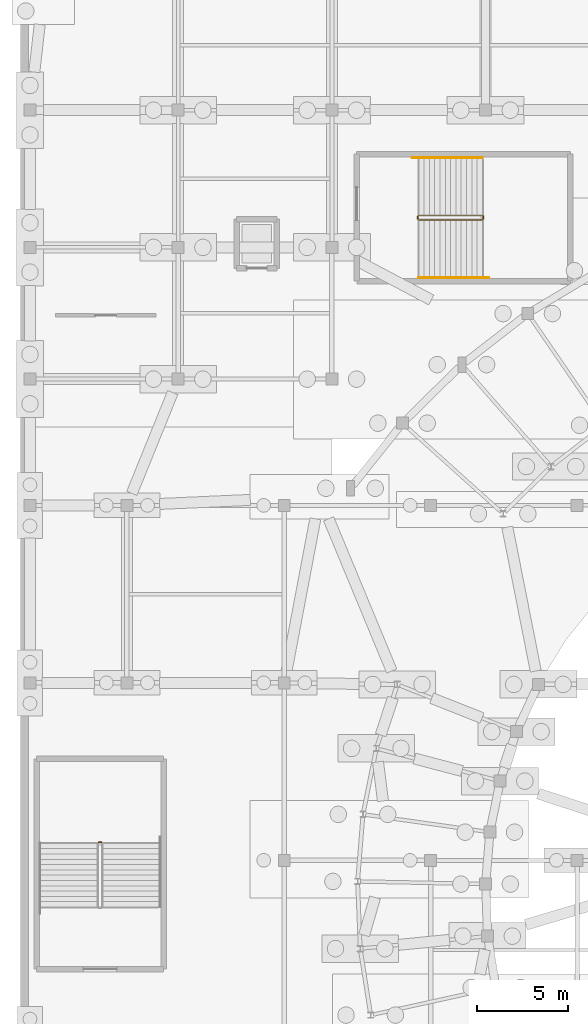
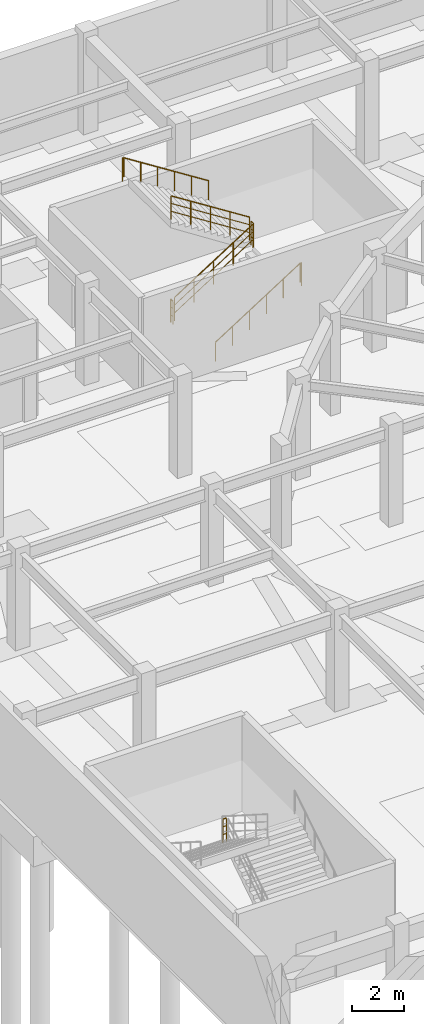
# One storey, part 65 of 68: 7 railings.
"""IFC4 building model written with IfcOpenShell, lengths in metres."""

from ifc_helpers import new_model, si_unit, direction, frame, origin, origin_2d, place, context, subcontext, project, spatial, circle, extrude, material, type_object, element, save


model = new_model("IFC4")

# Units and contexts
model_context = context("Model", 3, precision=1e-05, world=origin(), true_north=direction((0.0, 1.0)))
body_context = subcontext(model_context, "Body", "Model", "MODEL_VIEW")
ifc_project = project(units=[si_unit("LENGTHUNIT", "METRE"), si_unit("AREAUNIT", "SQUARE_METRE"), si_unit("VOLUMEUNIT", "CUBIC_METRE"), si_unit("PLANEANGLEUNIT", "RADIAN"), si_unit("MASSUNIT", "GRAM", prefix="KILO")], contexts=[model_context])

# Site, building, storey
site_placement = place(None, origin())
site = spatial("IfcSite", under=ifc_project, at=site_placement, CompositionType="ELEMENT")
building_placement = place(site_placement, origin())
building = spatial("IfcBuilding", under=site, at=building_placement, Name="Cinderbank Siding Concert Hall", CompositionType="ELEMENT")
storey_placement = place(building_placement, frame((0.0, 0.0, -4.800048828125)))
storey = spatial("IfcBuildingStorey", under=building, at=storey_placement, Name="B1", CompositionType="ELEMENT", Elevation=-4.800048828125)

# Railings
ifc_material = material(Name="Structural steel AS/NZS 3679.1 Grade 350 (340 MPa)", Category="steel")
railing_type_1 = type_object("IfcRailingType", Name="STG-01 Stair Well Guardrail 1120mm", PredefinedType="GUARDRAIL", material=ifc_material)
railing_1_placement = place(storey_placement, frame((28.35009765625, 104.800048828125, 0.1845703125)))
element("IfcRailing", 1, at=railing_1_placement, inside=storey, type_object=railing_type_1, Name="B1 ST-05 stair guard 1", PredefinedType="GUARDRAIL", context=body_context, shape_type="SweptSolid", body=[
    extrude(circle(Radius=0.02392578125, at=origin_2d()), frame((0.0, 0.0, 1.09619140625), z_axis=(0.843546938479, 0.0, 0.53705545578), x_axis=(0.0, 1.0, 0.0)), (0.0, 0.0, 1.0), 4.12548828125),
    extrude(circle(Radius=0.01611328125, at=origin_2d()), frame((0.0, 0.0, 0.36962890625), z_axis=(0.843546938479, 0.0, 0.53705545578), x_axis=(0.0, 1.0, 0.0)), (0.0, 0.0, 1.0), 4.12548828125),
    extrude(circle(Radius=0.01611328125, at=origin_2d()), frame((0.0, 0.0, 0.7392578125), z_axis=(0.843546938479, 0.0, 0.53705545578), x_axis=(0.0, 1.0, 0.0)), (0.0, 0.0, 1.0), 4.12548828125),
    extrude(circle(Radius=0.02099609375, at=origin_2d()), origin(), (0.0, 0.0, 1.0), 1.072021484375),
    extrude(circle(Radius=0.02099609375, at=origin_2d()), frame((0.8701171875, 0.0, 0.553955078125)), (0.0, 0.0, 1.0), 1.072021484375),
    extrude(circle(Radius=0.02099609375, at=origin_2d()), frame((1.739990234375, 0.0, 1.10791015625)), (0.0, 0.0, 1.0), 1.072021484375),
    extrude(circle(Radius=0.02099609375, at=origin_2d()), frame((2.60986328125, 0.0, 1.66162109375)), (0.0, 0.0, 1.0), 1.072021484375),
    extrude(circle(Radius=0.02099609375, at=origin_2d()), frame((3.47998046875, 0.0, 2.215576171875)), (0.0, 0.0, 1.0), 1.072021484375),
])
railing_2_placement = place(storey_placement, frame((31.8798828125, 104.85009765625, 2.400146484375)))
element("IfcRailing", 2, at=railing_2_placement, inside=storey, type_object=railing_type_1, Name="B1 ST-05 stair guard 2", PredefinedType="GUARDRAIL", context=body_context, shape_type="SweptSolid", body=[
    extrude(circle(Radius=0.02392578125, at=origin_2d()), frame((0.0, 0.0, 1.09619140625), z_axis=(0.0, 1.0, 0.0), x_axis=(-1.0, 0.0, 0.0)), (0.0, 0.0, 1.0), 0.159912109375),
    extrude(circle(Radius=0.01611328125, at=origin_2d()), frame((0.0, 0.0, 0.36962890625), z_axis=(0.0, 1.0, 0.0), x_axis=(-1.0, 0.0, 0.0)), (0.0, 0.0, 1.0), 0.159912109375),
    extrude(circle(Radius=0.01611328125, at=origin_2d()), frame((0.0, 0.0, 0.7392578125), z_axis=(0.0, 1.0, 0.0), x_axis=(-1.0, 0.0, 0.0)), (0.0, 0.0, 1.0), 0.159912109375),
    extrude(circle(Radius=0.02099609375, at=origin_2d()), origin(), (0.0, 0.0, 1.0), 1.072021484375),
    extrude(circle(Radius=0.02099609375, at=origin_2d()), frame((0.0, 0.159912109375, 0.0)), (0.0, 0.0, 1.0), 1.072021484375),
])
railing_3_placement = place(storey_placement, frame((31.830078125, 105.06005859375, 2.584716796875)))
element("IfcRailing", 3, at=railing_3_placement, inside=storey, type_object=railing_type_1, Name="B1 ST-05 stair guard 3", PredefinedType="GUARDRAIL", context=body_context, shape_type="SweptSolid", body=[
    extrude(circle(Radius=0.02392578125, at=origin_2d()), frame((0.0, 0.0, 1.09619140625), z_axis=(-0.843573748531, 0.0, 0.537013343214), x_axis=(0.0, -1.0, 0.0)), (0.0, 0.0, 1.0), 4.125244140625),
    extrude(circle(Radius=0.01611328125, at=origin_2d()), frame((0.0, 0.0, 0.36962890625), z_axis=(-0.843573748531, 0.0, 0.537013343214), x_axis=(0.0, -1.0, 0.0)), (0.0, 0.0, 1.0), 4.125244140625),
    extrude(circle(Radius=0.01611328125, at=origin_2d()), frame((0.0, 0.0, 0.7392578125), z_axis=(-0.843573748531, 0.0, 0.537013343214), x_axis=(0.0, -1.0, 0.0)), (0.0, 0.0, 1.0), 4.125244140625),
    extrude(circle(Radius=0.02099609375, at=origin_2d()), origin(), (0.0, 0.0, 1.0), 1.072021484375),
    extrude(circle(Radius=0.02099609375, at=origin_2d()), frame((-0.8701171875, 0.0, 0.5537109375)), (0.0, 0.0, 1.0), 1.072021484375),
    extrude(circle(Radius=0.02099609375, at=origin_2d()), frame((-1.739990234375, 0.0, 1.107666015625)), (0.0, 0.0, 1.0), 1.072021484375),
    extrude(circle(Radius=0.02099609375, at=origin_2d()), frame((-2.60986328125, 0.0, 1.66162109375)), (0.0, 0.0, 1.0), 1.072021484375),
    extrude(circle(Radius=0.02099609375, at=origin_2d()), frame((-3.47998046875, 0.0, 2.21533203125)), (0.0, 0.0, 1.0), 1.072021484375),
])
railing_4_placement = place(storey_placement, frame((28.300048828125, 104.85009765625, 0.0)))
element("IfcRailing", 4, at=railing_4_placement, inside=storey, type_object=railing_type_1, Name="B1 ST-05 stair guard 4", PredefinedType="GUARDRAIL", context=body_context, shape_type="SweptSolid", body=[
    extrude(circle(Radius=0.02392578125, at=origin_2d()), frame((0.0, 0.0, 1.09619140625), z_axis=(0.0, 1.0, 0.0), x_axis=(-1.0, 0.0, 0.0)), (0.0, 0.0, 1.0), 0.159912109375),
    extrude(circle(Radius=0.01611328125, at=origin_2d()), frame((0.0, 0.0, 0.36962890625), z_axis=(0.0, 1.0, 0.0), x_axis=(-1.0, 0.0, 0.0)), (0.0, 0.0, 1.0), 0.159912109375),
    extrude(circle(Radius=0.01611328125, at=origin_2d()), frame((0.0, 0.0, 0.7392578125), z_axis=(0.0, 1.0, 0.0), x_axis=(-1.0, 0.0, 0.0)), (0.0, 0.0, 1.0), 0.159912109375),
    extrude(circle(Radius=0.02099609375, at=origin_2d()), origin(), (0.0, 0.0, 1.0), 1.072021484375),
    extrude(circle(Radius=0.02099609375, at=origin_2d()), frame((0.0, 0.159912109375, 0.0)), (0.0, 0.0, 1.0), 1.072021484375),
])
railing_5_placement = place(storey_placement, frame((11.010009765625, 70.780029296875, 2.400146484375)))
element("IfcRailing", 5, at=railing_5_placement, inside=storey, type_object=railing_type_1, Name="B1 ST-09 stair guard 2", PredefinedType="GUARDRAIL", context=body_context, shape_type="SweptSolid", body=[
    extrude(circle(Radius=0.02392578125, at=origin_2d()), frame((0.0, 0.0, 1.09619140625), z_axis=(-1.0, 0.0, 0.0), x_axis=(0.0, -1.0, 0.0)), (0.0, 0.0, 1.0), 0.159912109375),
    extrude(circle(Radius=0.01611328125, at=origin_2d()), frame((0.0, 0.0, 0.36962890625), z_axis=(-1.0, 0.0, 0.0), x_axis=(0.0, -1.0, 0.0)), (0.0, 0.0, 1.0), 0.159912109375),
    extrude(circle(Radius=0.01611328125, at=origin_2d()), frame((0.0, 0.0, 0.7392578125), z_axis=(-1.0, 0.0, 0.0), x_axis=(0.0, -1.0, 0.0)), (0.0, 0.0, 1.0), 0.159912109375),
    extrude(circle(Radius=0.02099609375, at=origin_2d()), origin(), (0.0, 0.0, 1.0), 1.072021484375),
    extrude(circle(Radius=0.02099609375, at=origin_2d()), frame((-0.159912109375, 0.0, 0.0)), (0.0, 0.0, 1.0), 1.072021484375),
])
railing_type_2 = type_object("IfcRailingType", Name="STH-01 Stair Pitch Handrail 920mm", PredefinedType="HANDRAIL", material=ifc_material)
railing_6_placement = place(storey_placement, frame((28.35009765625, 101.64990234375, 0.1845703125)))
element("IfcRailing", 6, at=railing_6_placement, inside=storey, type_object=railing_type_2, Name="B1 ST-05 stair handrail 1", PredefinedType="HANDRAIL", context=body_context, shape_type="SweptSolid", body=[
    extrude(circle(Radius=0.02392578125, at=origin_2d()), frame((0.0, 0.0, 0.89599609375), z_axis=(0.843555751359, 0.0, 0.537041613237), x_axis=(0.0, 1.0, 0.0)), (0.0, 0.0, 1.0), 4.46923828125),
    extrude(circle(Radius=0.02392578125, at=origin_2d()), frame((3.77001953125, 0.0, 3.2958984375), z_axis=(1.0, 0.0, 0.0), x_axis=(0.0, 1.0, 0.0)), (0.0, 0.0, 1.0), 0.059814453125),
    extrude(circle(Radius=0.02099609375, at=origin_2d()), origin(), (0.0, 0.0, 1.0), 0.871826171875),
    extrude(circle(Radius=0.02099609375, at=origin_2d()), frame((0.75390625, 0.0, 0.47998046875)), (0.0, 0.0, 1.0), 0.871826171875),
    extrude(circle(Radius=0.02099609375, at=origin_2d()), frame((1.508056640625, 0.0, 0.9599609375)), (0.0, 0.0, 1.0), 0.871826171875),
    extrude(circle(Radius=0.02099609375, at=origin_2d()), frame((2.261962890625, 0.0, 1.440185546875)), (0.0, 0.0, 1.0), 0.871826171875),
    extrude(circle(Radius=0.02099609375, at=origin_2d()), frame((3.01611328125, 0.0, 1.920166015625)), (0.0, 0.0, 1.0), 0.871826171875),
    extrude(circle(Radius=0.02099609375, at=origin_2d()), frame((3.77001953125, 0.0, 2.400146484375)), (0.0, 0.0, 1.0), 0.871826171875),
    extrude(circle(Radius=0.02099609375, at=origin_2d()), frame((3.829833984375, 0.0, 2.215576171875)), (0.0, 0.0, 1.0), 1.056396484375),
])
railing_7_placement = place(storey_placement, frame((31.830078125, 108.2099609375, 2.584716796875)))
element("IfcRailing", 7, at=railing_7_placement, inside=storey, type_object=railing_type_2, Name="B1 ST-05 stair handrail 2", PredefinedType="HANDRAIL", context=body_context, shape_type="SweptSolid", body=[
    extrude(circle(Radius=0.02392578125, at=origin_2d()), frame((0.0, 0.0, 0.89599609375), z_axis=(-0.843580498726, 0.0, 0.537002739443), x_axis=(0.0, -1.0, 0.0)), (0.0, 0.0, 1.0), 4.468994140625),
    extrude(circle(Radius=0.02392578125, at=origin_2d()), frame((-3.77001953125, 0.0, 3.2958984375), z_axis=(-1.0, 0.0, 0.0), x_axis=(0.0, -1.0, 0.0)), (0.0, 0.0, 1.0), 0.06005859375),
    extrude(circle(Radius=0.02099609375, at=origin_2d()), origin(), (0.0, 0.0, 1.0), 0.871826171875),
    extrude(circle(Radius=0.02099609375, at=origin_2d()), frame((-0.75390625, 0.0, 0.47998046875)), (0.0, 0.0, 1.0), 0.871826171875),
    extrude(circle(Radius=0.02099609375, at=origin_2d()), frame((-1.508056640625, 0.0, 0.9599609375)), (0.0, 0.0, 1.0), 0.871826171875),
    extrude(circle(Radius=0.02099609375, at=origin_2d()), frame((-2.261962890625, 0.0, 1.43994140625)), (0.0, 0.0, 1.0), 0.871826171875),
    extrude(circle(Radius=0.02099609375, at=origin_2d()), frame((-3.01611328125, 0.0, 1.919921875)), (0.0, 0.0, 1.0), 0.871826171875),
    extrude(circle(Radius=0.02099609375, at=origin_2d()), frame((-3.77001953125, 0.0, 2.39990234375)), (0.0, 0.0, 1.0), 0.871826171875),
    extrude(circle(Radius=0.02099609375, at=origin_2d()), frame((-3.830078125, 0.0, 2.21533203125)), (0.0, 0.0, 1.0), 1.056396484375),
])

save(model, "model.ifc")
